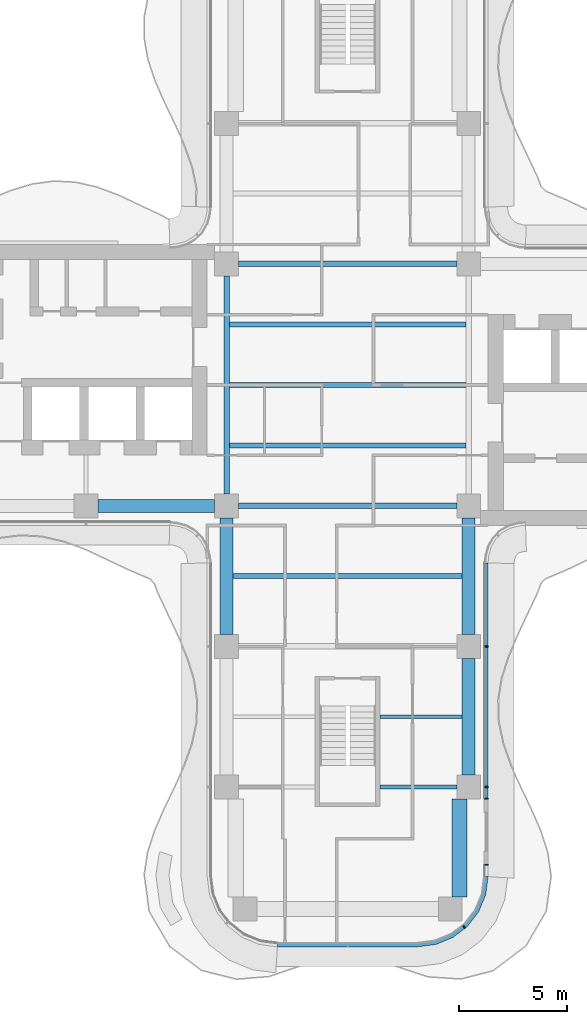
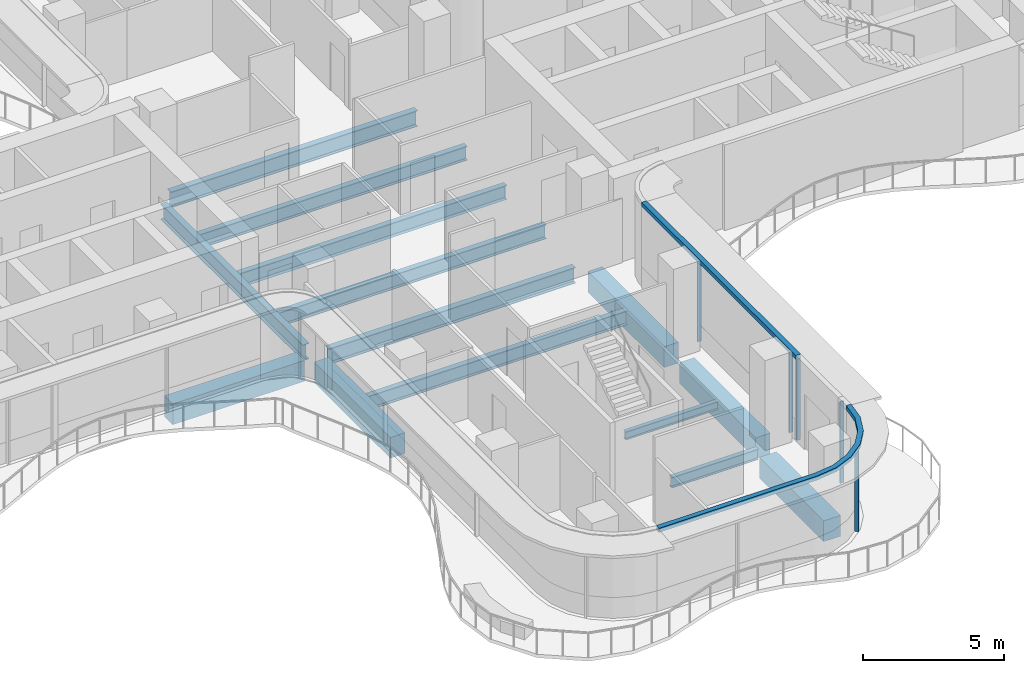
# One storey, part 4 of 17: 14 beams, 7 members, 3 elements without a shape of their own.
"""IFC4 building model written with IfcOpenShell, lengths in metres."""

from ifc_helpers import new_model, si_unit, direction, frame, origin, origin_2d, place, context, subcontext, project, spatial, polyline, rectangle, i_section, outline, extrude, source, transform, mapped, material, layer, layer_set, material_profile, profile_set, type_object, element, aggregate, save


model = new_model("IFC4")

# Units and contexts
model_context = context("Model", 3, precision=1e-05, world=origin(), true_north=direction((0.0, 1.0)))
body_context = subcontext(model_context, "Body", "Model", "MODEL_VIEW")
ifc_project = project(units=[si_unit("LENGTHUNIT", "METRE"), si_unit("AREAUNIT", "SQUARE_METRE"), si_unit("VOLUMEUNIT", "CUBIC_METRE"), si_unit("PLANEANGLEUNIT", "RADIAN"), si_unit("MASSUNIT", "GRAM", prefix="KILO")], contexts=[model_context])

# Site, building, storey
site_placement = place(None, origin())
site = spatial("IfcSite", under=ifc_project, at=site_placement, CompositionType="ELEMENT")
building_placement = place(site_placement, origin())
building = spatial("IfcBuilding", under=site, at=building_placement, Name="Trellis Farm Tower", CompositionType="ELEMENT")
storey_placement = place(building_placement, frame((0.0, 0.0, 236.300048828125)))
storey = spatial("IfcBuildingStorey", under=building, at=storey_placement, Name="L52", CompositionType="ELEMENT", Elevation=236.300048828125)

# Beams
ifc_material_1 = material(Name="Steel S355", Category="steel")
ifc_material_profile_1 = material_profile(ifc_material_1, i_section(OverallWidth=0.17138671875, OverallDepth=0.35498046875, WebThickness=0.00732421875, FlangeThickness=0.011474609375, FilletRadius=0.01025390625, at=origin_2d()), Name="UB 356x171x51")
ifc_profile_set_1 = profile_set([ifc_material_profile_1], Name="Steel S355")
beam_type_1 = type_object("IfcBeamType", Name="UB 356x171x51 joist", PredefinedType="JOIST", material=ifc_profile_set_1)
shared_shape_1 = source(origin(), body_context, "Body", "SweptSolid", [
    extrude(i_section(OverallWidth=0.17138671875, OverallDepth=0.35498046875, WebThickness=0.00732421875, FlangeThickness=0.011474609375, FilletRadius=0.01025390625, at=origin_2d()), origin(), (0.0, 0.0, 1.0), 3.800048828125),
])
beam_1_placement = place(storey_placement, frame((1.5, -15.35009765625, -0.37744140625), z_axis=(1.0, 0.0, 0.0), x_axis=(0.0, 1.0, 0.0)))
element("IfcBeam", 1, at=beam_1_placement, inside=storey, type_object=beam_type_1, Name="Floor beam", PredefinedType="JOIST", context=body_context, shape_type="MappedRepresentation", body=[
    mapped(shared_shape_1, transform((0.0, 0.0, 0.0))),
])
ifc_material_profile_2 = material_profile(ifc_material_1, i_section(OverallWidth=0.22900390625, OverallDepth=0.6123046875, WebThickness=0.011962890625, FlangeThickness=0.01953125, FilletRadius=0.0126953125, at=origin_2d()), Name="UB 610x229x125")
ifc_profile_set_2 = profile_set([ifc_material_profile_2], Name="Steel S355")
beam_type_2 = type_object("IfcBeamType", Name="UB 610x229x125 joist", PredefinedType="JOIST", material=ifc_profile_set_2)
shared_shape_2 = source(origin(), body_context, "Body", "SweptSolid", [
    extrude(i_section(OverallWidth=0.22900390625, OverallDepth=0.6123046875, WebThickness=0.011962890625, FlangeThickness=0.01953125, FilletRadius=0.0126953125, at=origin_2d()), origin(), (0.0, 0.0, 1.0), 10.9462890625),
])
for number, where, z_axis, x_axis, name in (
    (2, (-5.47314453125, -2.800048828125, -0.506103515625), (1.0, 0.0, 0.0), (0.0, 1.0, 0.0), "Floor beam"),
    (3, (-5.47314453125, 0.0, -0.506103515625), (1.0, 0.0, 0.0), (0.0, 1.0, 0.0), "Floor beam"),
    (4, (-5.47314453125, 2.800048828125, -0.506103515625), (1.0, 0.0, 0.0), (0.0, 1.0, 0.0), "Floor beam"),
):
    element("IfcBeam", number, at=place(storey_placement, frame(where, z_axis=z_axis, x_axis=x_axis)), inside=storey, type_object=beam_type_2, Name=name, PredefinedType="JOIST", context=body_context, shape_type="MappedRepresentation", body=[
        mapped(shared_shape_2, transform((0.0, 0.0, 0.0))),
    ])
shared_shape_3 = source(origin(), body_context, "Body", "SweptSolid", [
    extrude(i_section(OverallWidth=0.22900390625, OverallDepth=0.6123046875, WebThickness=0.011962890625, FlangeThickness=0.01953125, FilletRadius=0.0126953125, at=origin_2d()), origin(), (0.0, 0.0, 1.0), 10.60009765625),
])
beam_2_placement = place(storey_placement, frame((-5.300048828125, -8.85009765625, -0.506103515625), z_axis=(1.0, 0.0, 0.0), x_axis=(0.0, 1.0, 0.0)))
element("IfcBeam", 5, at=beam_2_placement, inside=storey, type_object=beam_type_2, Name="Floor beam", PredefinedType="JOIST", context=body_context, shape_type="MappedRepresentation", body=[
    mapped(shared_shape_3, transform((0.0, 0.0, 0.0))),
])
ifc_material_profile_3 = material_profile(ifc_material_1, i_section(OverallWidth=0.1904296875, OverallDepth=0.45703125, WebThickness=0.009033203125, FlangeThickness=0.014404296875, FilletRadius=0.01025390625, at=origin_2d()), Name="UB 457x191x74")
ifc_profile_set_3 = profile_set([ifc_material_profile_3], Name="Steel S355")
beam_type_3 = type_object("IfcBeamType", Name="UB 457x191x74", PredefinedType="BEAM", material=ifc_profile_set_3)
shared_shape_4 = source(origin(), body_context, "Body", "SweptSolid", [
    extrude(i_section(OverallWidth=0.1904296875, OverallDepth=0.45703125, WebThickness=0.009033203125, FlangeThickness=0.014404296875, FilletRadius=0.01025390625, at=origin_2d()), origin(), (0.0, 0.0, 1.0), 3.550048828125),
])
beam_3_placement = place(storey_placement, frame((1.5, -18.60009765625, -0.428466796875), z_axis=(1.0, 0.0, 0.0), x_axis=(0.0, 1.0, 0.0)))
element("IfcBeam", 6, at=beam_3_placement, inside=storey, type_object=beam_type_3, Name="Girder", PredefinedType="BEAM", context=body_context, shape_type="MappedRepresentation", body=[
    mapped(shared_shape_4, transform((0.0, 0.0, 0.0))),
])
ifc_material_profile_4 = material_profile(ifc_material_1, i_section(OverallWidth=0.253662109375, OverallDepth=0.68359375, WebThickness=0.012451171875, FlangeThickness=0.021728515625, FilletRadius=0.01513671875, at=origin_2d()), Name="UB 686x254x140")
ifc_profile_set_4 = profile_set([ifc_material_profile_4], Name="Steel S355")
beam_type_4 = type_object("IfcBeamType", Name="UB 686x254x140", PredefinedType="BEAM", material=ifc_profile_set_4)
shared_shape_5 = source(origin(), body_context, "Body", "SweptSolid", [
    extrude(i_section(OverallWidth=0.253662109375, OverallDepth=0.68359375, WebThickness=0.012451171875, FlangeThickness=0.021728515625, FilletRadius=0.01513671875, at=origin_2d()), origin(), (0.0, 0.0, 1.0), 10.10009765625),
])
for number, where, z_axis, x_axis, name in (
    (7, (-5.050048828125, -5.60009765625, -0.541748046875), (1.0, 0.0, 0.0), (0.0, 1.0, 0.0), "Girder"),
    (8, (-5.050048828125, 5.60009765625, -0.541748046875), (1.0, 0.0, 0.0), (0.0, 1.0, 0.0), "Girder"),
    (9, (-5.60009765625, -5.050048828125, -0.541748046875), (0.0, 1.0, 0.0), (-1.0, 0.0, 0.0), "Girder"),
):
    element("IfcBeam", number, at=place(storey_placement, frame(where, z_axis=z_axis, x_axis=x_axis)), inside=storey, type_object=beam_type_4, Name=name, PredefinedType="BEAM", context=body_context, shape_type="MappedRepresentation", body=[
        mapped(shared_shape_5, transform((0.0, 0.0, 0.0))),
    ])
ifc_material_2 = material(Name="Concrete C60/75", Category="concrete")
ifc_material_profile_5 = material_profile(ifc_material_2, rectangle(XDim=0.60009765625, YDim=0.89990234375, at=origin_2d()), Name="RC spandrel beam 600x900 C60/75")
ifc_profile_set_5 = profile_set([ifc_material_profile_5], Name="Concrete C60/75")
beam_type_5 = type_object("IfcBeamType", Name="RC spandrel beam 600x900 C60/75", PredefinedType="SPANDREL", material=ifc_profile_set_5)
shared_shape_6 = source(origin(), body_context, "Body", "SweptSolid", [
    extrude(rectangle(XDim=0.60009765625, YDim=0.89990234375, at=origin_2d()), origin(), (0.0, 0.0, 1.0), 5.400146484375),
])
for number, where, z_axis, x_axis, name in (
    (10, (-11.550048828125, -5.60009765625, -0.650146484375), (1.0, 0.0, 0.0), (0.0, 1.0, 0.0), "Girder"),
    (11, (-5.60009765625, -11.550048828125, -0.650146484375), (0.0, 1.0, 0.0), (-1.0, 0.0, 0.0), "Girder"),
    (12, (5.60009765625, -18.050048828125, -0.650146484375), (0.0, 1.0, 0.0), (-1.0, 0.0, 0.0), "Girder"),
    (13, (5.60009765625, -11.550048828125, -0.650146484375), (0.0, 1.0, 0.0), (-1.0, 0.0, 0.0), "Girder"),
):
    element("IfcBeam", number, at=place(storey_placement, frame(where, z_axis=z_axis, x_axis=x_axis)), inside=storey, type_object=beam_type_5, Name=name, PredefinedType="SPANDREL", context=body_context, shape_type="MappedRepresentation", body=[
        mapped(shared_shape_6, transform((0.0, 0.0, 0.0))),
    ])
ifc_material_profile_6 = material_profile(ifc_material_2, rectangle(XDim=0.699951171875, YDim=0.89990234375, at=origin_2d()), Name="RC spandrel beam 700x900 C60/75")
ifc_profile_set_6 = profile_set([ifc_material_profile_6], Name="Concrete C60/75")
beam_type_6 = type_object("IfcBeamType", Name="RC spandrel beam 700x900 C60/75", PredefinedType="SPANDREL", material=ifc_profile_set_6)
shared_shape_7 = source(origin(), body_context, "Body", "SweptSolid", [
    extrude(rectangle(XDim=0.699951171875, YDim=0.89990234375, at=origin_2d()), origin(), (0.0, 0.0, 1.0), 4.550048828125),
])
beam_4_placement = place(storey_placement, frame((5.175048828125, -23.699951171875, -0.650146484375), z_axis=(0.0, 1.0, 0.0), x_axis=(-1.0, 0.0, 0.0)))
element("IfcBeam", 14, at=beam_4_placement, inside=storey, type_object=beam_type_6, Name="Girder", PredefinedType="SPANDREL", context=body_context, shape_type="MappedRepresentation", body=[
    mapped(shared_shape_7, transform((0.0, 0.0, 0.0))),
])

# Curtain wall, members
ifc_material_3 = material(Name="Aluminium and glass curtain wall", Category="aluminium")
ifc_layer_1 = layer(ifc_material_3, 0.18994140625)
ifc_layer_set_1 = layer_set([ifc_layer_1], Name="RIBBON CURTAIN WALL CW1")
curtain_wall_type = type_object("IfcCurtainWallType", Name="RIBBON CURTAIN WALL CW1", PredefinedType="NOTDEFINED", material=ifc_layer_set_1)
placement_1 = place(storey_placement, origin())
curtain_wall_1 = element("IfcCurtainWall", 15, at=placement_1, inside=storey, type_object=curtain_wall_type, Name="CW1 003", PredefinedType="NOTDEFINED")
ifc_material_4 = material(Name="Aluminium extrusion 6063-T6", Category="aluminium")
ifc_layer_2 = layer(ifc_material_4, 0.199951171875)
ifc_layer_set_2 = layer_set([ifc_layer_2], Name="Aluminium extrusion 6063-T6")
member_type_1 = type_object("IfcMemberType", Name="CW1 TRANSOM 200x180", PredefinedType="USERDEFINED", material=ifc_layer_set_2)
shared_shape_8 = source(origin(), body_context, "Body", "SweptSolid", [
    extrude(outline(polyline([(-3.25, -26.0), (3.25, -26.0), (4.091064453125, -25.88916015625), (4.875, -25.564697265625), (5.548095703125, -25.048095703125), (6.064697265625, -24.375), (6.38916015625, -23.591064453125), (6.5, -22.75), (6.300048828125, -22.73681640625), (6.1943359375, -23.5390625), (5.889892578125, -24.274169921875), (5.405517578125, -24.905517578125), (4.774169921875, -25.389892578125), (4.0390625, -25.6943359375), (3.23681640625, -25.800048828125), (-3.23681640625, -25.800048828125), (-3.25, -26.0)])), origin(), (0.0, 0.0, 1.0), 0.179931640625),
])
placement_2 = place(storey_placement, frame((0.0, 0.0, 3.52001953125)))
member_1 = element("IfcMember", 16, at=placement_2, type_object=member_type_1, Name="TR1 003", ObjectType="TRANSOM", PredefinedType="USERDEFINED", context=body_context, shape_type="MappedRepresentation", body=[
    mapped(shared_shape_8, transform((0.0, 0.0, 0.0))),
])
ifc_material_profile_7 = material_profile(ifc_material_4, rectangle(XDim=0.06005859375, YDim=0.14990234375, at=origin_2d()), Name="MULLION 60x150")
ifc_profile_set_7 = profile_set([ifc_material_profile_7], Name="Aluminium extrusion 6063-T6")
member_type_2 = type_object("IfcMemberType", Name="CW1 MULLION 60x150", PredefinedType="MULLION", material=ifc_profile_set_7)
shared_shape_9 = source(origin(), body_context, "Body", "SweptSolid", [
    extrude(rectangle(XDim=0.06005859375, YDim=0.14990234375, at=origin_2d()), origin(), (0.0, 0.0, 1.0), 3.52001953125),
])
member_2_placement = place(storey_placement, frame((5.385498046875, -25.078369140625, 0.0), z_axis=(0.0, 0.0, 1.0), x_axis=(0.793353340291, 0.608761429009, 0.0)))
member_2 = element("IfcMember", 17, at=member_2_placement, type_object=member_type_2, Name="MU1 003-02", PredefinedType="MULLION", context=body_context, shape_type="MappedRepresentation", body=[
    mapped(shared_shape_9, transform((0.0, 0.0, 0.0))),
])
aggregate(curtain_wall_1, [member_2, member_1])

# Curtain wall, member
curtain_wall_2 = element("IfcCurtainWall", 18, at=placement_1, inside=storey, type_object=curtain_wall_type, Name="CW1 004", PredefinedType="NOTDEFINED")
member_3_placement = place(storey_placement, frame((6.425048828125, -22.205078125, 0.0), z_axis=(0.0, 0.0, 1.0), x_axis=(0.0, 1.0, 0.0)))
member_3 = element("IfcMember", 19, at=member_3_placement, type_object=member_type_2, Name="MU1 004-01", PredefinedType="MULLION", context=body_context, shape_type="MappedRepresentation", body=[
    mapped(shared_shape_9, transform((0.0, 0.0, 0.0))),
])
aggregate(curtain_wall_2, [member_3])

# Curtain wall, members
curtain_wall_3 = element("IfcCurtainWall", 20, at=placement_1, inside=storey, type_object=curtain_wall_type, Name="CW1 005", PredefinedType="NOTDEFINED")
member_4_placement = place(storey_placement, frame((6.425048828125, -19.14501953125, 0.0), z_axis=(0.0, 0.0, 1.0), x_axis=(0.0, 1.0, 0.0)))
member_4 = element("IfcMember", 21, at=member_4_placement, type_object=member_type_2, Name="MU1 005-01", PredefinedType="MULLION", context=body_context, shape_type="MappedRepresentation", body=[
    mapped(shared_shape_9, transform((0.0, 0.0, 0.0))),
])
member_5_placement = place(storey_placement, frame((6.425048828125, -18.60009765625, 0.0), z_axis=(0.0, 0.0, 1.0), x_axis=(0.0, 1.0, 0.0)))
member_5 = element("IfcMember", 22, at=member_5_placement, type_object=member_type_2, Name="MU1 005-02", PredefinedType="MULLION", context=body_context, shape_type="MappedRepresentation", body=[
    mapped(shared_shape_9, transform((0.0, 0.0, 0.0))),
])
member_6_placement = place(storey_placement, frame((6.425048828125, -12.10009765625, 0.0), z_axis=(0.0, 0.0, 1.0), x_axis=(0.0, 1.0, 0.0)))
member_6 = element("IfcMember", 23, at=member_6_placement, type_object=member_type_2, Name="MU1 005-03", PredefinedType="MULLION", context=body_context, shape_type="MappedRepresentation", body=[
    mapped(shared_shape_9, transform((0.0, 0.0, 0.0))),
])
shared_shape_10 = source(origin(), body_context, "Body", "SweptSolid", [
    extrude(outline(polyline([(6.5, -19.175048828125), (6.5, -8.2314453125), (6.300048828125, -8.224853515625), (6.300048828125, -19.175048828125), (6.5, -19.175048828125)])), origin(), (0.0, 0.0, 1.0), 0.179931640625),
])
member_7 = element("IfcMember", 24, at=placement_2, type_object=member_type_1, Name="TR1 005", ObjectType="TRANSOM", PredefinedType="USERDEFINED", context=body_context, shape_type="MappedRepresentation", body=[
    mapped(shared_shape_10, transform((0.0, 0.0, 0.0))),
])
aggregate(curtain_wall_3, [member_4, member_5, member_6, member_7])

save(model, "model.ifc")
